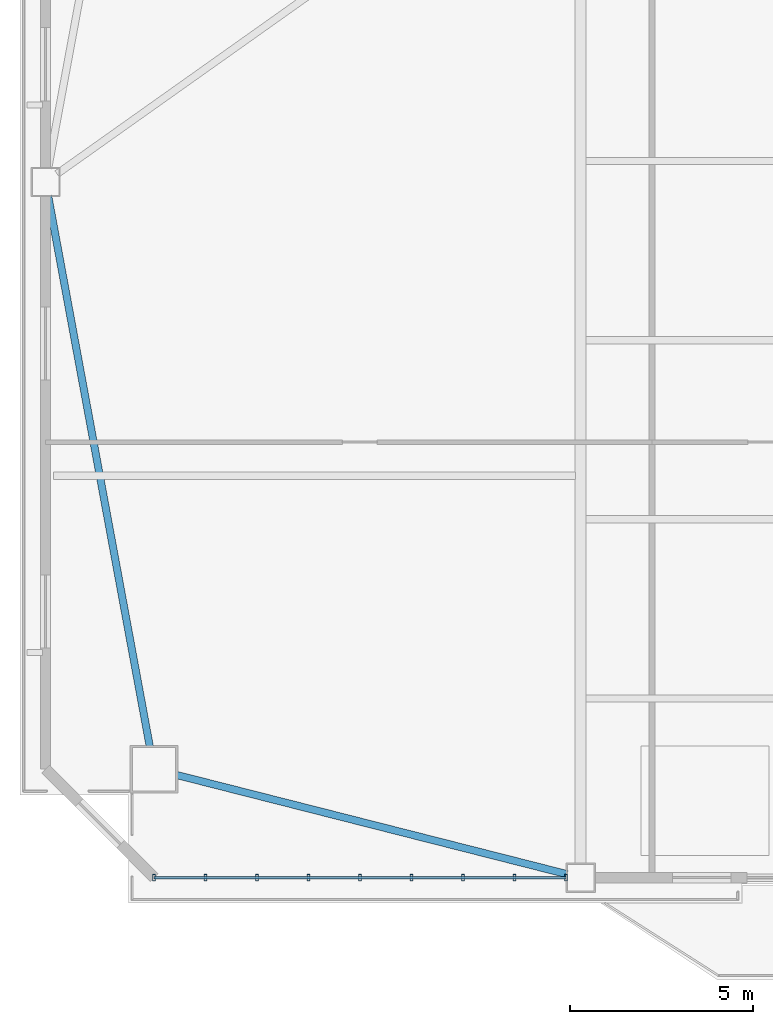
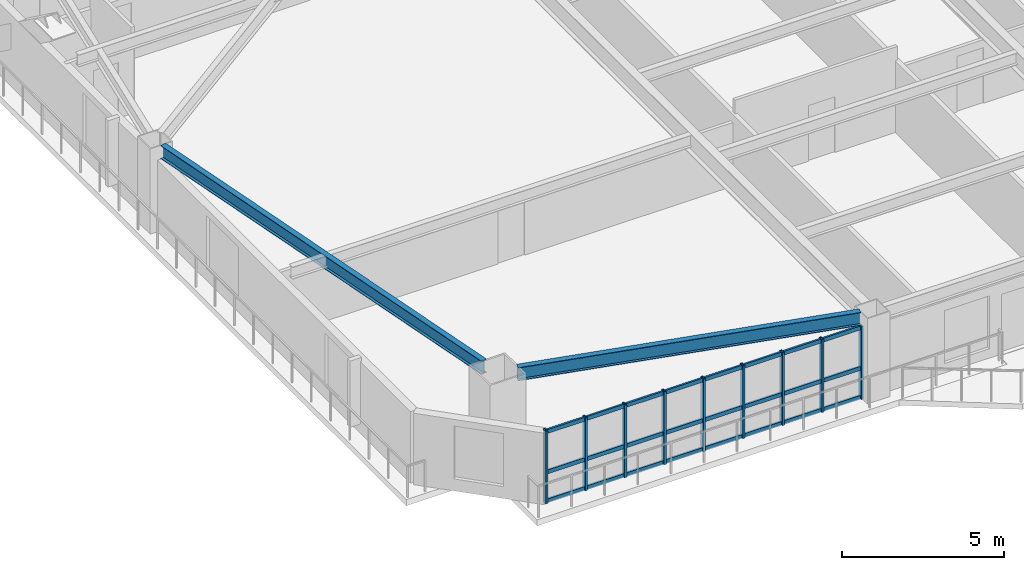
# One storey, part 2 of 17: 12 members, 2 beams, 1 element without a shape of its own.
"""IFC4 building model written with IfcOpenShell, lengths in metres."""

from ifc_helpers import new_model, si_unit, direction, frame, origin, origin_2d, place, context, subcontext, project, spatial, hollow_rectangle, i_section, extrude, source, transform, mapped, material, layer, layer_set, material_profile, profile_set, type_object, element, aggregate, save


model = new_model("IFC4")

# Units and contexts
model_context = context("Model", 3, precision=1e-05, world=origin(), true_north=direction((0.0, 1.0)))
body_context = subcontext(model_context, "Body", "Model", "MODEL_VIEW")
ifc_project = project(units=[si_unit("LENGTHUNIT", "METRE"), si_unit("AREAUNIT", "SQUARE_METRE"), si_unit("VOLUMEUNIT", "CUBIC_METRE"), si_unit("PLANEANGLEUNIT", "RADIAN"), si_unit("MASSUNIT", "GRAM", prefix="KILO")], contexts=[model_context])

# Site, building, storey
site_placement = place(None, origin())
site = spatial("IfcSite", under=ifc_project, at=site_placement, CompositionType="ELEMENT")
building_placement = place(site_placement, origin())
building = spatial("IfcBuilding", under=site, at=building_placement, Name="Giltprow Tower", CompositionType="ELEMENT")
storey_placement = place(building_placement, frame((0.0, 0.0, 141.199951171875)))
storey = spatial("IfcBuildingStorey", under=building, at=storey_placement, Name="L34", CompositionType="ELEMENT", Elevation=141.199951171875)

# Beams
ifc_material_1 = material(Name="Structural steel Q355B", Category="steel")
ifc_material_profile_1 = material_profile(ifc_material_1, i_section(OverallWidth=0.199951171875, OverallDepth=0.5, WebThickness=0.010009765625, FlangeThickness=0.01611328125, at=origin_2d()), Name="HN 500x200x10x16")
ifc_profile_set_1 = profile_set([ifc_material_profile_1], Name="Structural steel Q355B")
beam_type = type_object("IfcBeamType", Name="BM-SPAN-HN500", PredefinedType="SPANDREL", material=ifc_profile_set_1)
shared_shape_1 = source(origin(), body_context, "Body", "SweptSolid", [
    extrude(i_section(OverallWidth=0.199951171875, OverallDepth=0.5, WebThickness=0.010009765625, FlangeThickness=0.01611328125, at=origin_2d()), origin(), (0.0, 0.0, 1.0), 11.0224609375),
])
beam_1_placement = place(storey_placement, frame((8.7939453125, 10.85400390625, 2.969970703125), z_axis=(0.969210383282, -0.2462341019, 0.0), x_axis=(0.2462341019, 0.969210383282, 0.0)))
element("IfcBeam", 1, at=beam_1_placement, inside=storey, type_object=beam_type, Name="L34 Perimeter Spandrel Beam MC_SW-S1", PredefinedType="SPANDREL", context=body_context, shape_type="MappedRepresentation", body=[
    mapped(shared_shape_1, transform((0.0, 0.0, 0.0), x_axis=(1.0, 0.0, 0.0), y_axis=(0.0, 1.0, 0.0), z_axis=(0.0, 0.0, 1.0), scale=1.0)),
])
shared_shape_2 = source(origin(), body_context, "Body", "SweptSolid", [
    extrude(i_section(OverallWidth=0.199951171875, OverallDepth=0.5, WebThickness=0.010009765625, FlangeThickness=0.01611328125, at=origin_2d()), origin(), (0.0, 0.0, 1.0), 15.3134765625),
])
beam_2_placement = place(storey_placement, frame((5.283935546875, 26.693115234375, 2.969970703125), z_axis=(0.181540600951, -0.98338345024, 0.0), x_axis=(0.98338345024, 0.181540600951, 0.0)))
element("IfcBeam", 2, at=beam_2_placement, inside=storey, type_object=beam_type, Name="L34 Perimeter Spandrel Beam W_MID-MC_SW", PredefinedType="SPANDREL", context=body_context, shape_type="MappedRepresentation", body=[
    mapped(shared_shape_2, transform((0.0, 0.0, 0.0), x_axis=(1.0, 0.0, 0.0), y_axis=(0.0, 1.0, 0.0), z_axis=(0.0, 0.0, 1.0), scale=1.0)),
])

# Curtain wall, members
ifc_material_2 = material(Name="Anodized bronze", Category="metal")
ifc_layer = layer(ifc_material_2, 0.179931640625, Name="Anodized bronze")
ifc_layer_set = layer_set([ifc_layer], Name="Anodized bronze")
curtain_wall_type = type_object("IfcCurtainWallType", Name="CW-HTL-BRONZE", PredefinedType="NOTDEFINED", material=ifc_layer_set)
curtain_wall_placement = place(storey_placement, origin())
curtain_wall = element("IfcCurtainWall", 3, at=curtain_wall_placement, inside=storey, type_object=curtain_wall_type, Name="L34 South Recessed Curtain Wall 1", PredefinedType="NOTDEFINED")
ifc_material_profile_2 = material_profile(ifc_material_2, hollow_rectangle(XDim=0.06494140625, YDim=0.14990234375, WallThickness=0.006103515625, at=origin_2d()), Name="RHS 150x65x6")
ifc_profile_set_2 = profile_set([ifc_material_profile_2], Name="Anodized bronze")
member_type_1 = type_object("IfcMemberType", Name="CW-TRANSOM-150x65", PredefinedType="USERDEFINED", material=ifc_profile_set_2)
shared_shape_3 = source(origin(), body_context, "Body", "SweptSolid", [
    extrude(hollow_rectangle(XDim=0.06494140625, YDim=0.14990234375, WallThickness=0.006103515625, at=origin_2d()), origin(), (0.0, 0.0, 1.0), 11.27099609375),
])
member_1_placement = place(storey_placement, frame((8.178955078125, 8.044921875, 0.0400390625), z_axis=(1.0, 0.0, 0.0), x_axis=(0.0, 1.0, 0.0)))
member_1 = element("IfcMember", 4, at=member_1_placement, type_object=member_type_1, Name="L34 South Recessed Curtain Wall 1 Transom 1", ObjectType="TRANSOM", PredefinedType="USERDEFINED", context=body_context, shape_type="MappedRepresentation", body=[
    mapped(shared_shape_3, transform((0.0, 0.0, 0.0), x_axis=(1.0, 0.0, 0.0), y_axis=(0.0, 1.0, 0.0), z_axis=(0.0, 0.0, 1.0), scale=1.0)),
])
member_2_placement = place(storey_placement, frame((8.178955078125, 8.044921875, 1.134033203125), z_axis=(1.0, 0.0, 0.0), x_axis=(0.0, 1.0, 0.0)))
member_2 = element("IfcMember", 5, at=member_2_placement, type_object=member_type_1, Name="L34 South Recessed Curtain Wall 1 Transom 2", ObjectType="TRANSOM", PredefinedType="USERDEFINED", context=body_context, shape_type="MappedRepresentation", body=[
    mapped(shared_shape_3, transform((0.0, 0.0, 0.0), x_axis=(1.0, 0.0, 0.0), y_axis=(0.0, 1.0, 0.0), z_axis=(0.0, 0.0, 1.0), scale=1.0)),
])
member_3_placement = place(storey_placement, frame((8.178955078125, 8.044921875, 2.66015625), z_axis=(1.0, 0.0, 0.0), x_axis=(0.0, 1.0, 0.0)))
member_3 = element("IfcMember", 6, at=member_3_placement, type_object=member_type_1, Name="L34 South Recessed Curtain Wall 1 Transom 3", ObjectType="TRANSOM", PredefinedType="USERDEFINED", context=body_context, shape_type="MappedRepresentation", body=[
    mapped(shared_shape_3, transform((0.0, 0.0, 0.0), x_axis=(1.0, 0.0, 0.0), y_axis=(0.0, 1.0, 0.0), z_axis=(0.0, 0.0, 1.0), scale=1.0)),
])
ifc_material_profile_3 = material_profile(ifc_material_2, hollow_rectangle(XDim=0.074951171875, YDim=0.179931640625, WallThickness=0.008056640625, at=origin_2d()), Name="RHS 180x75x8")
ifc_profile_set_3 = profile_set([ifc_material_profile_3], Name="Anodized bronze")
member_type_2 = type_object("IfcMemberType", Name="CW-MULLION-180x75", PredefinedType="MULLION", material=ifc_profile_set_3)
shared_shape_4 = source(origin(), body_context, "Body", "SweptSolid", [
    extrude(hollow_rectangle(XDim=0.074951171875, YDim=0.179931640625, WallThickness=0.008056640625, at=origin_2d()), origin(), (0.0, 0.0, 1.0), 2.755126953125),
])
member_4_placement = place(storey_placement, frame((8.178955078125, 8.044921875, -0.02001953125), z_axis=(0.0, 0.0, 1.0), x_axis=(1.0, 0.0, 0.0)))
member_4 = element("IfcMember", 7, at=member_4_placement, type_object=member_type_2, Name="L34 South Recessed Curtain Wall 1 Mullion 1", PredefinedType="MULLION", context=body_context, shape_type="MappedRepresentation", body=[
    mapped(shared_shape_4, transform((0.0, 0.0, 0.0), x_axis=(1.0, 0.0, 0.0), y_axis=(0.0, 1.0, 0.0), z_axis=(0.0, 0.0, 1.0), scale=1.0)),
])
member_5_placement = place(storey_placement, frame((9.587890625, 8.044921875, -0.02001953125), z_axis=(0.0, 0.0, 1.0), x_axis=(1.0, 0.0, 0.0)))
member_5 = element("IfcMember", 8, at=member_5_placement, type_object=member_type_2, Name="L34 South Recessed Curtain Wall 1 Mullion 2", PredefinedType="MULLION", context=body_context, shape_type="MappedRepresentation", body=[
    mapped(shared_shape_4, transform((0.0, 0.0, 0.0), x_axis=(1.0, 0.0, 0.0), y_axis=(0.0, 1.0, 0.0), z_axis=(0.0, 0.0, 1.0), scale=1.0)),
])
member_6_placement = place(storey_placement, frame((10.9970703125, 8.044921875, -0.02001953125), z_axis=(0.0, 0.0, 1.0), x_axis=(1.0, 0.0, 0.0)))
member_6 = element("IfcMember", 9, at=member_6_placement, type_object=member_type_2, Name="L34 South Recessed Curtain Wall 1 Mullion 3", PredefinedType="MULLION", context=body_context, shape_type="MappedRepresentation", body=[
    mapped(shared_shape_4, transform((0.0, 0.0, 0.0), x_axis=(1.0, 0.0, 0.0), y_axis=(0.0, 1.0, 0.0), z_axis=(0.0, 0.0, 1.0), scale=1.0)),
])
member_7_placement = place(storey_placement, frame((12.406005859375, 8.044921875, -0.02001953125), z_axis=(0.0, 0.0, 1.0), x_axis=(1.0, 0.0, 0.0)))
member_7 = element("IfcMember", 10, at=member_7_placement, type_object=member_type_2, Name="L34 South Recessed Curtain Wall 1 Mullion 4", PredefinedType="MULLION", context=body_context, shape_type="MappedRepresentation", body=[
    mapped(shared_shape_4, transform((0.0, 0.0, 0.0), x_axis=(1.0, 0.0, 0.0), y_axis=(0.0, 1.0, 0.0), z_axis=(0.0, 0.0, 1.0), scale=1.0)),
])
member_8_placement = place(storey_placement, frame((13.81396484375, 8.044921875, -0.02001953125), z_axis=(0.0, 0.0, 1.0), x_axis=(1.0, 0.0, 0.0)))
member_8 = element("IfcMember", 11, at=member_8_placement, type_object=member_type_2, Name="L34 South Recessed Curtain Wall 1 Mullion 5", PredefinedType="MULLION", context=body_context, shape_type="MappedRepresentation", body=[
    mapped(shared_shape_4, transform((0.0, 0.0, 0.0), x_axis=(1.0, 0.0, 0.0), y_axis=(0.0, 1.0, 0.0), z_axis=(0.0, 0.0, 1.0), scale=1.0)),
])
member_9_placement = place(storey_placement, frame((15.222900390625, 8.044921875, -0.02001953125), z_axis=(0.0, 0.0, 1.0), x_axis=(1.0, 0.0, 0.0)))
member_9 = element("IfcMember", 12, at=member_9_placement, type_object=member_type_2, Name="L34 South Recessed Curtain Wall 1 Mullion 6", PredefinedType="MULLION", context=body_context, shape_type="MappedRepresentation", body=[
    mapped(shared_shape_4, transform((0.0, 0.0, 0.0), x_axis=(1.0, 0.0, 0.0), y_axis=(0.0, 1.0, 0.0), z_axis=(0.0, 0.0, 1.0), scale=1.0)),
])
member_10_placement = place(storey_placement, frame((16.632080078125, 8.044921875, -0.02001953125), z_axis=(0.0, 0.0, 1.0), x_axis=(1.0, 0.0, 0.0)))
member_10 = element("IfcMember", 13, at=member_10_placement, type_object=member_type_2, Name="L34 South Recessed Curtain Wall 1 Mullion 7", PredefinedType="MULLION", context=body_context, shape_type="MappedRepresentation", body=[
    mapped(shared_shape_4, transform((0.0, 0.0, 0.0), x_axis=(1.0, 0.0, 0.0), y_axis=(0.0, 1.0, 0.0), z_axis=(0.0, 0.0, 1.0), scale=1.0)),
])
member_11_placement = place(storey_placement, frame((18.041015625, 8.044921875, -0.02001953125), z_axis=(0.0, 0.0, 1.0), x_axis=(1.0, 0.0, 0.0)))
member_11 = element("IfcMember", 14, at=member_11_placement, type_object=member_type_2, Name="L34 South Recessed Curtain Wall 1 Mullion 8", PredefinedType="MULLION", context=body_context, shape_type="MappedRepresentation", body=[
    mapped(shared_shape_4, transform((0.0, 0.0, 0.0), x_axis=(1.0, 0.0, 0.0), y_axis=(0.0, 1.0, 0.0), z_axis=(0.0, 0.0, 1.0), scale=1.0)),
])
member_12_placement = place(storey_placement, frame((19.449951171875, 8.044921875, -0.02001953125), z_axis=(0.0, 0.0, 1.0), x_axis=(1.0, 0.0, 0.0)))
member_12 = element("IfcMember", 15, at=member_12_placement, type_object=member_type_2, Name="L34 South Recessed Curtain Wall 1 Mullion 9", PredefinedType="MULLION", context=body_context, shape_type="MappedRepresentation", body=[
    mapped(shared_shape_4, transform((0.0, 0.0, 0.0), x_axis=(1.0, 0.0, 0.0), y_axis=(0.0, 1.0, 0.0), z_axis=(0.0, 0.0, 1.0), scale=1.0)),
])
aggregate(curtain_wall, [member_4, member_5, member_6, member_7, member_8, member_9, member_10, member_11, member_12, member_1, member_2, member_3])

save(model, "model.ifc")
